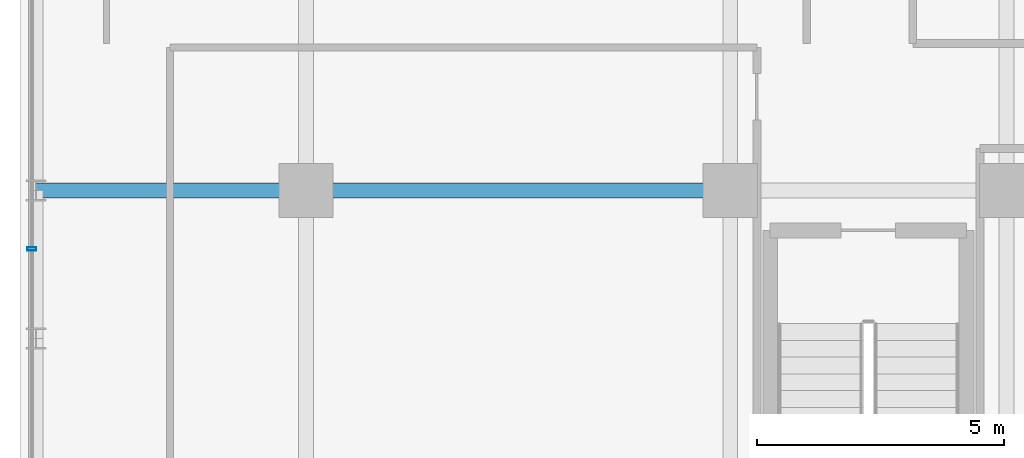
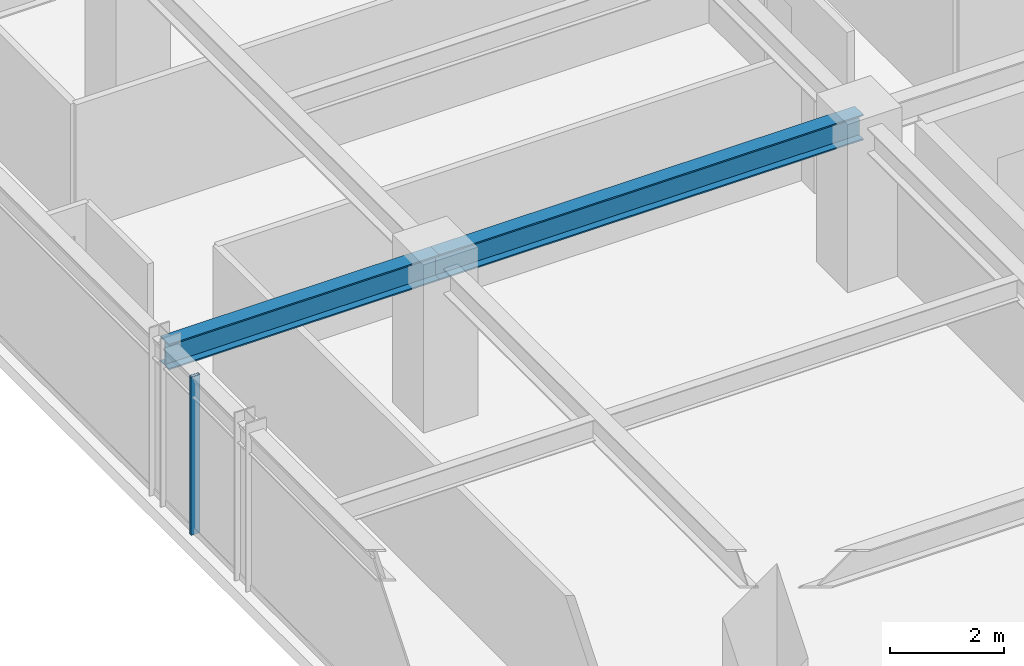
# One storey, part 7 of 31: 2 beams, 1 member, 1 element without a shape of its own.
"""IFC4 building model written with IfcOpenShell, lengths in metres."""

from ifc_helpers import new_model, si_unit, direction, frame, origin, origin_2d, place, context, subcontext, project, spatial, hollow_rectangle, i_section, extrude, source, transform, mapped, material, material_profile, profile_set, type_object, element, aggregate, save


model = new_model("IFC4")

# Units and contexts
model_context = context("Model", 3, precision=1e-05, world=origin(), true_north=direction((0.0, 1.0)))
body_context = subcontext(model_context, "Body", "Model", "MODEL_VIEW")
ifc_project = project(units=[si_unit("LENGTHUNIT", "METRE"), si_unit("AREAUNIT", "SQUARE_METRE"), si_unit("VOLUMEUNIT", "CUBIC_METRE"), si_unit("PLANEANGLEUNIT", "RADIAN"), si_unit("MASSUNIT", "GRAM", prefix="KILO")], contexts=[model_context])

# Site, building, storey
site_placement = place(None, origin())
site = spatial("IfcSite", under=ifc_project, at=site_placement, CompositionType="ELEMENT")
building_placement = place(site_placement, origin())
building = spatial("IfcBuilding", under=site, at=building_placement, Name="Nahalor Promenade Grand Hotel", CompositionType="ELEMENT")
storey_placement = place(building_placement, frame((0.0, 0.0, 192.800048828125)))
storey = spatial("IfcBuildingStorey", under=building, at=storey_placement, Name="L49", CompositionType="ELEMENT", Elevation=192.800048828125)

# Beams
ifc_material_1 = material(Name="Steel S355JR", Category="steel")
ifc_material_profile_1 = material_profile(ifc_material_1, i_section(OverallWidth=0.3, OverallDepth=0.55, WebThickness=0.015, FlangeThickness=0.029, at=origin_2d()), Name="HEB 550")
ifc_profile_set_1 = profile_set([ifc_material_profile_1], Name="Steel S355JR")
beam_type = type_object("IfcBeamType", Name="Beam-Girder-HEB550", PredefinedType="BEAM", material=ifc_profile_set_1)
shared_shape_1 = source(origin(), body_context, "Body", "SweptSolid", [
    extrude(i_section(OverallWidth=0.3, OverallDepth=0.55, WebThickness=0.015, FlangeThickness=0.029, at=origin_2d()), origin(), (0.0, 0.0, 1.0), 8.60009765625),
])
beam_1_placement = place(storey_placement, frame((-17.0, -5.39990234375, 3.114990234375), z_axis=(1.0, 0.0, 0.0), x_axis=(0.0, 1.0, 0.0)))
element("IfcBeam", 1, at=beam_1_placement, inside=storey, type_object=beam_type, Name="BM-L49-GX-1-1", PredefinedType="BEAM", context=body_context, shape_type="MappedRepresentation", body=[
    mapped(shared_shape_1, transform((0.0, 0.0, 0.0), scale=1.0)),
])
shared_shape_2 = source(origin(), body_context, "Body", "SweptSolid", [
    extrude(i_section(OverallWidth=0.3, OverallDepth=0.55, WebThickness=0.015, FlangeThickness=0.029, at=origin_2d()), origin(), (0.0, 0.0, 1.0), 5.47998046875),
])
beam_2_placement = place(storey_placement, frame((-22.47998046875, -5.39990234375, 3.114990234375), z_axis=(1.0, 0.0, 0.0), x_axis=(0.0, 1.0, 0.0)))
element("IfcBeam", 2, at=beam_2_placement, inside=storey, type_object=beam_type, Name="BM-L49-GX-1-0", PredefinedType="BEAM", context=body_context, shape_type="MappedRepresentation", body=[
    mapped(shared_shape_2, transform((0.0, 0.0, 0.0), scale=1.0)),
])

# Curtain wall, member
ifc_material_2 = material(Name="Anodised Bronze Aluminium EN AW-6063 T6", Category="aluminium")
curtain_wall_type = type_object("IfcCurtainWallType", Name="CW2 Typical Hotel Flush Bronze Unitised Curtain Wall", PredefinedType="USERDEFINED", material=ifc_material_2)
curtain_wall_placement = place(storey_placement, origin())
curtain_wall = element("IfcCurtainWall", 3, at=curtain_wall_placement, inside=storey, type_object=curtain_wall_type, Name="L49 Curtain Wall CW-L49-W-1", ObjectType="UNITISED_CURTAIN_WALL", PredefinedType="USERDEFINED")
ifc_material_profile_2 = material_profile(ifc_material_2, hollow_rectangle(XDim=0.065, YDim=0.18, WallThickness=0.004, at=origin_2d()), Name="CWM 65x180x4")
ifc_profile_set_2 = profile_set([ifc_material_profile_2], Name="Anodised Bronze Aluminium EN AW-6063 T6")
member_type = type_object("IfcMemberType", Name="CWM2 Typical Bronze Mullion 65x180", PredefinedType="MULLION", material=ifc_profile_set_2)
shared_shape_3 = source(origin(), body_context, "Body", "SweptSolid", [
    extrude(hollow_rectangle(XDim=0.065, YDim=0.18, WallThickness=0.004, at=origin_2d()), origin(), (0.0, 0.0, 1.0), 3.389892578125),
])
member_placement = place(storey_placement, frame((-22.56005859375, -6.586669921875, 0.0), z_axis=(0.0, 0.0, 1.0), x_axis=(0.0, 1.0, 0.0)))
member = element("IfcMember", 4, at=member_placement, type_object=member_type, Name="CW-L49-W-1 Mullion 1", PredefinedType="MULLION", context=body_context, shape_type="MappedRepresentation", body=[
    mapped(shared_shape_3, transform((0.0, 0.0, 0.0), scale=1.0)),
])
aggregate(curtain_wall, [member])

save(model, "model.ifc")
